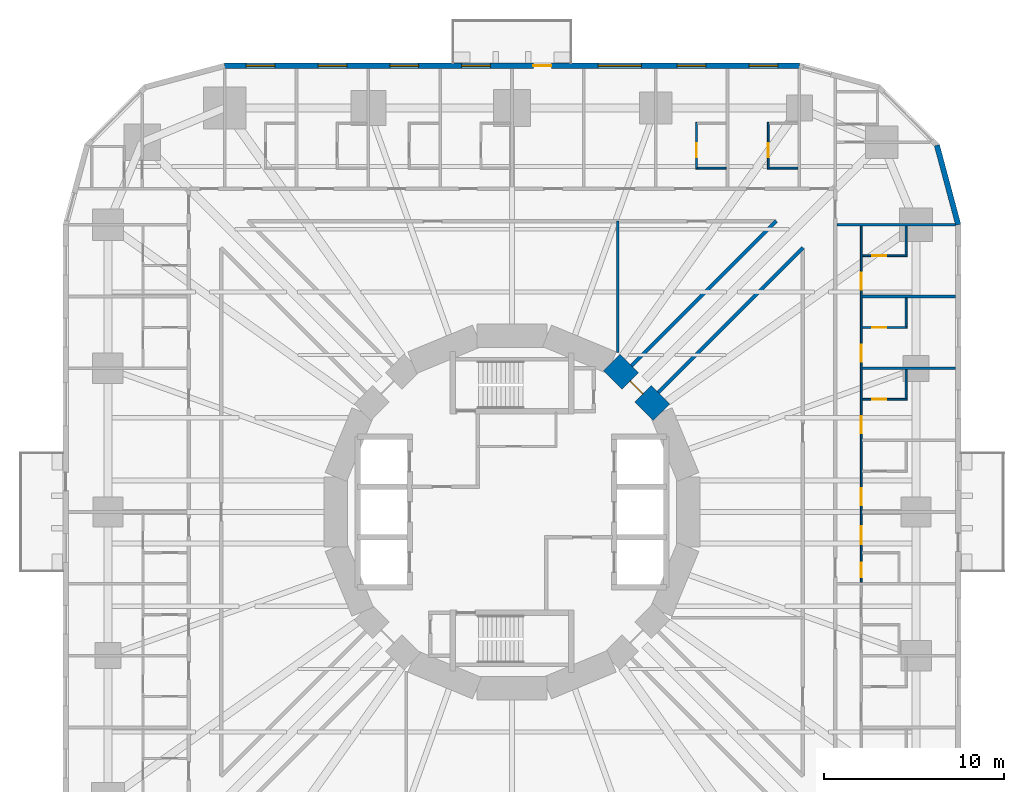
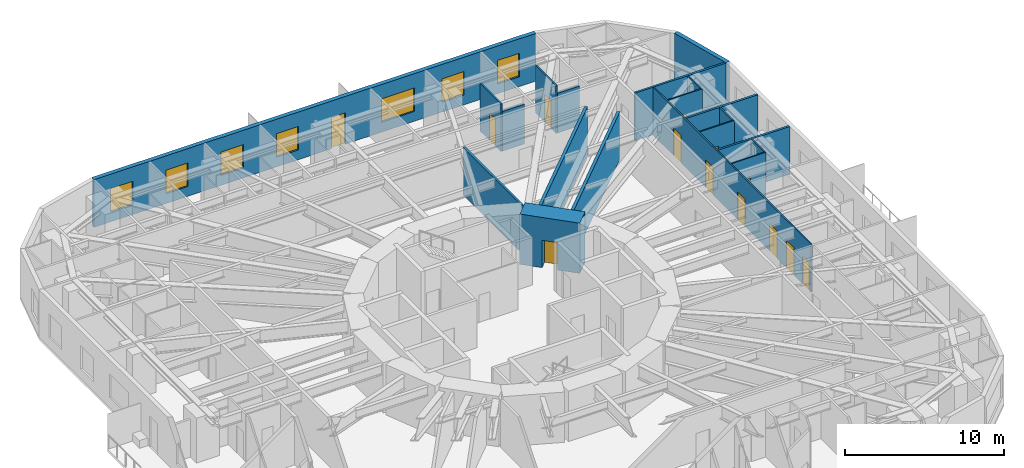
# One storey, part 11 of 14: 20 walls, 13 doors, 7 windows, 20 openings.
"""IFC4 building model written with IfcOpenShell, lengths in metres."""

from ifc_helpers import new_model, si_unit, direction, frame, frame_2d, origin, place, context, subcontext, project, spatial, rectangle, extrude, material, layer, layer_set, type_object, element, fill, save


model = new_model("IFC4")

# Units and contexts
model_context = context("Model", 3, precision=1e-05, world=origin(), true_north=direction((0.0, 1.0)))
body_context = subcontext(model_context, "Body", "Model", "MODEL_VIEW")
ifc_project = project(units=[si_unit("LENGTHUNIT", "METRE"), si_unit("AREAUNIT", "SQUARE_METRE"), si_unit("VOLUMEUNIT", "CUBIC_METRE"), si_unit("PLANEANGLEUNIT", "RADIAN"), si_unit("MASSUNIT", "GRAM", prefix="KILO")], contexts=[model_context])

# Site, building, storey
site_placement = place(None, origin())
site = spatial("IfcSite", under=ifc_project, at=site_placement, CompositionType="ELEMENT")
building_placement = place(site_placement, origin())
building = spatial("IfcBuilding", under=site, at=building_placement, Name="Nakasero Lantern House", CompositionType="ELEMENT")
storey_placement = place(building_placement, frame((0.0, 0.0, 50.64990234375)))
storey = spatial("IfcBuildingStorey", under=building, at=storey_placement, Name="L12", CompositionType="ELEMENT", Elevation=50.64990234375)

# Wall, openings, doors
ifc_material_1 = material(Name="Blockwork", Category="masonry")
ifc_layer_1 = layer(ifc_material_1, 0.10009765625)
ifc_layer_set_1 = layer_set([ifc_layer_1], Name="Cluster hall wall 100")
wall_type_1 = type_object("IfcWallType", Name="Cluster hall wall 100", PredefinedType="PARTITIONING", material=ifc_layer_set_1)
wall_1_placement = place(storey_placement, frame((19.449951171875, -3.925048828125, 0.0), z_axis=(0.0, 0.0, 1.0), x_axis=(0.0, 1.0, 0.0)))
wall_1 = element("IfcWall", 1, at=wall_1_placement, inside=storey, type_object=wall_type_1, Name="Cluster hall wall L12 HW0-1", PredefinedType="PARTITIONING", context=body_context, shape_type="SweptSolid", body=[
    extrude(rectangle(XDim=19.85009765625, YDim=0.10009765625, at=frame_2d((9.925048828125, 0.0))), origin(), (0.0, 0.0, 1.0), 3.650146484375),
])
opening_1_placement = place(wall_1_placement, frame((2.125, 0.0, 0.0)))
opening_1 = element("IfcOpeningElement", 2, at=opening_1_placement, cuts=wall_1, Name="Opening D03", PredefinedType="OPENING", context=body_context, shape_type="SweptSolid", body=[
    extrude(rectangle(XDim=1.0, YDim=2.10009765625, at=frame_2d((0.5, 1.050048828125))), frame((0.0, 0.070068359375, 0.0), z_axis=(0.0, -1.0, 0.0), x_axis=(1.0, 0.0, 0.0)), (0.0, 0.0, 1.0), 0.14013671875),
])
opening_2_placement = place(wall_1_placement, frame((0.300048828125, 0.0, 0.0)))
opening_2 = element("IfcOpeningElement", 3, at=opening_2_placement, cuts=wall_1, Name="Opening D02", PredefinedType="OPENING", context=body_context, shape_type="SweptSolid", body=[
    extrude(rectangle(XDim=0.800048828125, YDim=2.10009765625, at=frame_2d((0.39990234375, 1.050048828125))), frame((0.0, 0.070068359375, 0.0), z_axis=(0.0, -1.0, 0.0), x_axis=(1.0, 0.0, 0.0)), (0.0, 0.0, 1.0), 0.14013671875),
])
opening_3_placement = place(wall_1_placement, frame((4.300048828125, 0.0, 0.0)))
opening_3 = element("IfcOpeningElement", 4, at=opening_3_placement, cuts=wall_1, Name="Opening D01", PredefinedType="OPENING", context=body_context, shape_type="SweptSolid", body=[
    extrude(rectangle(XDim=0.949951171875, YDim=2.10009765625, at=frame_2d((0.47509765625, 1.050048828125))), frame((0.0, 0.070068359375, 0.0), z_axis=(0.0, -1.0, 0.0), x_axis=(1.0, 0.0, 0.0)), (0.0, 0.0, 1.0), 0.14013671875),
])
opening_4_placement = place(wall_1_placement, frame((8.300048828125, 0.0, 0.0)))
opening_4 = element("IfcOpeningElement", 5, at=opening_4_placement, cuts=wall_1, Name="Opening D01", PredefinedType="OPENING", context=body_context, shape_type="SweptSolid", body=[
    extrude(rectangle(XDim=0.949951171875, YDim=2.10009765625, at=frame_2d((0.47509765625, 1.050048828125))), frame((0.0, 0.070068359375, 0.0), z_axis=(0.0, -1.0, 0.0), x_axis=(1.0, 0.0, 0.0)), (0.0, 0.0, 1.0), 0.14013671875),
])
opening_5_placement = place(wall_1_placement, frame((12.300048828125, 0.0, 0.0)))
opening_5 = element("IfcOpeningElement", 6, at=opening_5_placement, cuts=wall_1, Name="Opening D01", PredefinedType="OPENING", context=body_context, shape_type="SweptSolid", body=[
    extrude(rectangle(XDim=0.949951171875, YDim=2.10009765625, at=frame_2d((0.47509765625, 1.050048828125))), frame((0.0, 0.070068359375, 0.0), z_axis=(0.0, -1.0, 0.0), x_axis=(1.0, 0.0, 0.0)), (0.0, 0.0, 1.0), 0.14013671875),
])
opening_6_placement = place(wall_1_placement, frame((16.300048828125, 0.0, 0.0)))
opening_6 = element("IfcOpeningElement", 7, at=opening_6_placement, cuts=wall_1, Name="Opening D01", PredefinedType="OPENING", context=body_context, shape_type="SweptSolid", body=[
    extrude(rectangle(XDim=0.949951171875, YDim=2.10009765625, at=frame_2d((0.47509765625, 1.050048828125))), frame((0.0, 0.070068359375, 0.0), z_axis=(0.0, -1.0, 0.0), x_axis=(1.0, 0.0, 0.0)), (0.0, 0.0, 1.0), 0.14013671875),
])
ifc_material_2 = material(Name="Timber C24", Category="wood")
door_type_1 = type_object("IfcDoorType", Name="Bedroom door FD30S 950", OperationType="SINGLE_SWING_LEFT", PredefinedType="DOOR", material=ifc_material_2)
door_1_placement = place(opening_3_placement, origin())
door_1 = element("IfcDoor", 8, at=door_1_placement, inside=storey, type_object=door_type_1, Name="Door L12 D0-05", OperationType="SINGLE_SWING_LEFT", OverallHeight=2.10009765625, OverallWidth=0.949951171875, PredefinedType="DOOR", context=body_context, shape_type="SweptSolid", body=[
    extrude(rectangle(XDim=0.949951171875, YDim=2.10009765625, at=frame_2d((0.47509765625, 1.050048828125))), frame((0.0, 0.02490234375, 0.0), z_axis=(0.0, -1.0, 0.0), x_axis=(1.0, 0.0, 0.0)), (0.0, 0.0, 1.0), 0.050048828125),
])
fill(opening_3, door_1)
door_2_placement = place(opening_4_placement, origin())
door_2 = element("IfcDoor", 9, at=door_2_placement, inside=storey, type_object=door_type_1, Name="Door L12 D0-06", OperationType="SINGLE_SWING_LEFT", OverallHeight=2.10009765625, OverallWidth=0.949951171875, PredefinedType="DOOR", context=body_context, shape_type="SweptSolid", body=[
    extrude(rectangle(XDim=0.949951171875, YDim=2.10009765625, at=frame_2d((0.47509765625, 1.050048828125))), frame((0.0, 0.02490234375, 0.0), z_axis=(0.0, -1.0, 0.0), x_axis=(1.0, 0.0, 0.0)), (0.0, 0.0, 1.0), 0.050048828125),
])
fill(opening_4, door_2)
door_3_placement = place(opening_5_placement, origin())
door_3 = element("IfcDoor", 10, at=door_3_placement, inside=storey, type_object=door_type_1, Name="Door L12 D0-07", OperationType="SINGLE_SWING_RIGHT", OverallHeight=2.10009765625, OverallWidth=0.949951171875, PredefinedType="DOOR", context=body_context, shape_type="SweptSolid", body=[
    extrude(rectangle(XDim=0.949951171875, YDim=2.10009765625, at=frame_2d((0.47509765625, 1.050048828125))), frame((0.0, 0.02490234375, 0.0), z_axis=(0.0, -1.0, 0.0), x_axis=(1.0, 0.0, 0.0)), (0.0, 0.0, 1.0), 0.050048828125),
])
fill(opening_5, door_3)
door_4_placement = place(opening_6_placement, origin())
door_4 = element("IfcDoor", 11, at=door_4_placement, inside=storey, type_object=door_type_1, Name="Door L12 D0-08", OperationType="SINGLE_SWING_RIGHT", OverallHeight=2.10009765625, OverallWidth=0.949951171875, PredefinedType="DOOR", context=body_context, shape_type="SweptSolid", body=[
    extrude(rectangle(XDim=0.949951171875, YDim=2.10009765625, at=frame_2d((0.47509765625, 1.050048828125))), frame((0.0, 0.02490234375, 0.0), z_axis=(0.0, -1.0, 0.0), x_axis=(1.0, 0.0, 0.0)), (0.0, 0.0, 1.0), 0.050048828125),
])
fill(opening_6, door_4)
ifc_material_3 = material(Name="Timber C24", Category="wood")
door_type_2 = type_object("IfcDoorType", Name="En-suite door 800", OperationType="SINGLE_SWING_RIGHT", PredefinedType="DOOR", material=ifc_material_3)
door_5_placement = place(opening_2_placement, origin())
door_5 = element("IfcDoor", 12, at=door_5_placement, inside=storey, type_object=door_type_2, Name="Door L12 DSH0-1", OperationType="SINGLE_SWING_LEFT", OverallHeight=2.10009765625, OverallWidth=0.800048828125, PredefinedType="DOOR", context=body_context, shape_type="SweptSolid", body=[
    extrude(rectangle(XDim=0.800048828125, YDim=2.10009765625, at=frame_2d((0.39990234375, 1.050048828125))), frame((0.0, 0.02490234375, 0.0), z_axis=(0.0, -1.0, 0.0), x_axis=(1.0, 0.0, 0.0)), (0.0, 0.0, 1.0), 0.050048828125),
])
fill(opening_2, door_5)
ifc_material_4 = material(Name="Timber C24", Category="wood")
door_type_3 = type_object("IfcDoorType", Name="Lounge door FD30S 1000", OperationType="SINGLE_SWING_LEFT", PredefinedType="DOOR", material=ifc_material_4)
door_6_placement = place(opening_1_placement, origin())
door_6 = element("IfcDoor", 13, at=door_6_placement, inside=storey, type_object=door_type_3, Name="Door L12 DH0-1", OperationType="SINGLE_SWING_LEFT", OverallHeight=2.10009765625, OverallWidth=1.0, PredefinedType="DOOR", context=body_context, shape_type="SweptSolid", body=[
    extrude(rectangle(XDim=1.0, YDim=2.10009765625, at=frame_2d((0.5, 1.050048828125))), frame((0.0, 0.02490234375, 0.0), z_axis=(0.0, -1.0, 0.0), x_axis=(1.0, 0.0, 0.0)), (0.0, 0.0, 1.0), 0.050048828125),
])
fill(opening_1, door_6)

# Wall, opening, door
ifc_material_5 = material(Name="Concrete C50/60", Category="concrete")
ifc_layer_2 = layer(ifc_material_5, 1.300048828125)
ifc_layer_set_2 = layer_set([ifc_layer_2], Name="Core wall 1300")
wall_type_2 = type_object("IfcWallType", Name="Core wall 1300", PredefinedType="SHEAR", material=ifc_layer_set_2)
wall_2_placement = place(storey_placement, frame((8.314697265625, 5.5556640625, 0.0), z_axis=(0.0, 0.0, 1.0), x_axis=(-0.707106781187, 0.707106781187, 0.0)))
wall_2 = element("IfcWall", 14, at=wall_2_placement, inside=storey, type_object=wall_type_2, Name="Core wall L12 facet 2", PredefinedType="SHEAR", context=body_context, shape_type="SweptSolid", body=[
    extrude(rectangle(XDim=3.90185546875, YDim=1.300048828125, at=frame_2d((1.950927734375, 0.0))), origin(), (0.0, 0.0, 1.0), 3.85009765625),
])
opening_7_placement = place(wall_2_placement, frame((1.450927734375, 0.0, 0.0)))
opening_7 = element("IfcOpeningElement", 15, at=opening_7_placement, cuts=wall_2, Name="Opening D05", PredefinedType="OPENING", context=body_context, shape_type="SweptSolid", body=[
    extrude(rectangle(XDim=1.0, YDim=2.10009765625, at=frame_2d((0.5, 1.050048828125))), frame((0.0, 0.669921875, 0.0), z_axis=(0.0, -1.0, 0.0), x_axis=(1.0, 0.0, 0.0)), (0.0, 0.0, 1.0), 1.340087890625),
])
ifc_material_6 = material(Name="Timber C24", Category="wood")
door_type_4 = type_object("IfcDoorType", Name="Core door FD60S 1000", OperationType="SINGLE_SWING_LEFT", PredefinedType="DOOR", material=ifc_material_6)
door_7_placement = place(opening_7_placement, origin())
door_7 = element("IfcDoor", 16, at=door_7_placement, inside=storey, type_object=door_type_4, Name="Door L12 D-CORE02", OperationType="SINGLE_SWING_LEFT", OverallHeight=2.10009765625, OverallWidth=1.0, PredefinedType="DOOR", context=body_context, shape_type="SweptSolid", body=[
    extrude(rectangle(XDim=1.0, YDim=2.10009765625, at=frame_2d((0.5, 1.050048828125))), frame((0.0, 0.02490234375, 0.0), z_axis=(0.0, -1.0, 0.0), x_axis=(1.0, 0.0, 0.0)), (0.0, 0.0, 1.0), 0.050048828125),
])
fill(opening_7, door_7)

# Walls
ifc_material_7 = material(Name="Blockwork", Category="masonry")
ifc_layer_3 = layer(ifc_material_7, 0.199951171875)
ifc_layer_set_3 = layer_set([ifc_layer_3], Name="Corridor wall 200")
wall_type_3 = type_object("IfcWallType", Name="Corridor wall 200", PredefinedType="PARTITIONING", material=ifc_layer_set_3)
for number, where, z_axis, x_axis, name in (
    (17, (6.65234375, 8.13720703125, 0.0), (0.0, 0.0, 1.0), (0.707106781187, 0.707106781187, 0.0), "Corridor wall L12 PS02a"),
    (18, (8.13720703125, 6.65234375, 0.0), (0.0, 0.0, 1.0), (0.707106781187, 0.707106781187, 0.0), "Corridor wall L12 PS02b"),
):
    element("IfcWall", number, at=place(storey_placement, frame(where, z_axis=z_axis, x_axis=x_axis)), inside=storey, type_object=wall_type_3, Name=name, PredefinedType="PARTITIONING", context=body_context, shape_type="SweptSolid", body=[
        extrude(rectangle(XDim=11.40234375, YDim=0.199951171875, at=frame_2d((5.701171875, 0.0))), origin(), (0.0, 0.0, 1.0), 3.650146484375),
    ])

# Wall, opening, door
ifc_material_8 = material(Name="Blockwork", Category="masonry")
ifc_layer_4 = layer(ifc_material_8, 0.10009765625)
ifc_layer_set_4 = layer_set([ifc_layer_4], Name="En-suite wall 100")
wall_type_4 = type_object("IfcWallType", Name="En-suite wall 100", PredefinedType="PARTITIONING", material=ifc_layer_set_4)
wall_3_placement = place(storey_placement, frame((19.5, 6.27490234375, 0.0), z_axis=(0.0, 0.0, 1.0), x_axis=(1.0, 0.0, 0.0)))
wall_3 = element("IfcWall", 19, at=wall_3_placement, inside=storey, type_object=wall_type_4, Name="En-suite wall L12 ES0-06", PredefinedType="PARTITIONING", context=body_context, shape_type="SweptSolid", body=[
    extrude(rectangle(XDim=2.5, YDim=0.10009765625, at=frame_2d((1.25, 0.0))), origin(), (0.0, 0.0, 1.0), 3.650146484375),
])
opening_8_placement = place(wall_3_placement, frame((0.550048828125, 0.0, 0.0)))
opening_8 = element("IfcOpeningElement", 20, at=opening_8_placement, cuts=wall_3, Name="Opening D02", PredefinedType="OPENING", context=body_context, shape_type="SweptSolid", body=[
    extrude(rectangle(XDim=0.800048828125, YDim=2.10009765625, at=frame_2d((0.39990234375, 1.050048828125))), frame((0.0, 0.070068359375, 0.0), z_axis=(0.0, -1.0, 0.0), x_axis=(1.0, 0.0, 0.0)), (0.0, 0.0, 1.0), 0.14013671875),
])
door_8_placement = place(opening_8_placement, origin())
door_8 = element("IfcDoor", 21, at=door_8_placement, inside=storey, type_object=door_type_2, Name="Door L12 DE0-06", OperationType="SINGLE_SWING_LEFT", OverallHeight=2.10009765625, OverallWidth=0.800048828125, PredefinedType="DOOR", context=body_context, shape_type="SweptSolid", body=[
    extrude(rectangle(XDim=0.800048828125, YDim=2.10009765625, at=frame_2d((0.39990234375, 1.050048828125))), frame((0.0, 0.02490234375, 0.0), z_axis=(0.0, -1.0, 0.0), x_axis=(1.0, 0.0, 0.0)), (0.0, 0.0, 1.0), 0.050048828125),
])
fill(opening_8, door_8)

# Wall
wall_4_placement = place(storey_placement, frame((21.949951171875, 6.324951171875, 0.0), z_axis=(0.0, 0.0, 1.0), x_axis=(0.0, 1.0, 0.0)))
element("IfcWall", 22, at=wall_4_placement, inside=storey, type_object=wall_type_4, Name="En-suite wall L12 EE0-06", PredefinedType="PARTITIONING", context=body_context, shape_type="SweptSolid", body=[
    extrude(rectangle(XDim=1.60009765625, YDim=0.10009765625, at=frame_2d((0.800048828125, 0.0))), origin(), (0.0, 0.0, 1.0), 3.650146484375),
])

# Wall, opening, door
wall_5_placement = place(storey_placement, frame((19.5, 10.27490234375, 0.0), z_axis=(0.0, 0.0, 1.0), x_axis=(1.0, 0.0, 0.0)))
wall_5 = element("IfcWall", 23, at=wall_5_placement, inside=storey, type_object=wall_type_4, Name="En-suite wall L12 ES0-07", PredefinedType="PARTITIONING", context=body_context, shape_type="SweptSolid", body=[
    extrude(rectangle(XDim=2.5, YDim=0.10009765625, at=frame_2d((1.25, 0.0))), origin(), (0.0, 0.0, 1.0), 3.650146484375),
])
opening_9_placement = place(wall_5_placement, frame((0.550048828125, 0.0, 0.0)))
opening_9 = element("IfcOpeningElement", 24, at=opening_9_placement, cuts=wall_5, Name="Opening D02", PredefinedType="OPENING", context=body_context, shape_type="SweptSolid", body=[
    extrude(rectangle(XDim=0.800048828125, YDim=2.10009765625, at=frame_2d((0.39990234375, 1.050048828125))), frame((0.0, 0.070068359375, 0.0), z_axis=(0.0, -1.0, 0.0), x_axis=(1.0, 0.0, 0.0)), (0.0, 0.0, 1.0), 0.14013671875),
])
door_9_placement = place(opening_9_placement, origin())
door_9 = element("IfcDoor", 25, at=door_9_placement, inside=storey, type_object=door_type_2, Name="Door L12 DE0-07", OperationType="SINGLE_SWING_LEFT", OverallHeight=2.10009765625, OverallWidth=0.800048828125, PredefinedType="DOOR", context=body_context, shape_type="SweptSolid", body=[
    extrude(rectangle(XDim=0.800048828125, YDim=2.10009765625, at=frame_2d((0.39990234375, 1.050048828125))), frame((0.0, 0.02490234375, 0.0), z_axis=(0.0, -1.0, 0.0), x_axis=(1.0, 0.0, 0.0)), (0.0, 0.0, 1.0), 0.050048828125),
])
fill(opening_9, door_9)

# Wall
wall_6_placement = place(storey_placement, frame((21.949951171875, 10.324951171875, 0.0), z_axis=(0.0, 0.0, 1.0), x_axis=(0.0, 1.0, 0.0)))
element("IfcWall", 26, at=wall_6_placement, inside=storey, type_object=wall_type_4, Name="En-suite wall L12 EE0-07", PredefinedType="PARTITIONING", context=body_context, shape_type="SweptSolid", body=[
    extrude(rectangle(XDim=1.60009765625, YDim=0.10009765625, at=frame_2d((0.800048828125, 0.0))), origin(), (0.0, 0.0, 1.0), 3.650146484375),
])

# Wall, opening, door
wall_7_placement = place(storey_placement, frame((19.5, 14.27490234375, 0.0), z_axis=(0.0, 0.0, 1.0), x_axis=(1.0, 0.0, 0.0)))
wall_7 = element("IfcWall", 27, at=wall_7_placement, inside=storey, type_object=wall_type_4, Name="En-suite wall L12 ES0-08", PredefinedType="PARTITIONING", context=body_context, shape_type="SweptSolid", body=[
    extrude(rectangle(XDim=2.5, YDim=0.10009765625, at=frame_2d((1.25, 0.0))), origin(), (0.0, 0.0, 1.0), 3.650146484375),
])
opening_10_placement = place(wall_7_placement, frame((0.550048828125, 0.0, 0.0)))
opening_10 = element("IfcOpeningElement", 28, at=opening_10_placement, cuts=wall_7, Name="Opening D02", PredefinedType="OPENING", context=body_context, shape_type="SweptSolid", body=[
    extrude(rectangle(XDim=0.800048828125, YDim=2.10009765625, at=frame_2d((0.39990234375, 1.050048828125))), frame((0.0, 0.070068359375, 0.0), z_axis=(0.0, -1.0, 0.0), x_axis=(1.0, 0.0, 0.0)), (0.0, 0.0, 1.0), 0.14013671875),
])
door_10_placement = place(opening_10_placement, origin())
door_10 = element("IfcDoor", 29, at=door_10_placement, inside=storey, type_object=door_type_2, Name="Door L12 DE0-08", OperationType="SINGLE_SWING_LEFT", OverallHeight=2.10009765625, OverallWidth=0.800048828125, PredefinedType="DOOR", context=body_context, shape_type="SweptSolid", body=[
    extrude(rectangle(XDim=0.800048828125, YDim=2.10009765625, at=frame_2d((0.39990234375, 1.050048828125))), frame((0.0, 0.02490234375, 0.0), z_axis=(0.0, -1.0, 0.0), x_axis=(1.0, 0.0, 0.0)), (0.0, 0.0, 1.0), 0.050048828125),
])
fill(opening_10, door_10)

# Wall
wall_8_placement = place(storey_placement, frame((21.949951171875, 14.324951171875, 0.0), z_axis=(0.0, 0.0, 1.0), x_axis=(0.0, 1.0, 0.0)))
element("IfcWall", 30, at=wall_8_placement, inside=storey, type_object=wall_type_4, Name="En-suite wall L12 EE0-08", PredefinedType="PARTITIONING", context=body_context, shape_type="SweptSolid", body=[
    extrude(rectangle(XDim=1.60009765625, YDim=0.10009765625, at=frame_2d((0.800048828125, 0.0))), origin(), (0.0, 0.0, 1.0), 3.650146484375),
])

# Wall, opening, door
wall_9_placement = place(storey_placement, frame((14.27490234375, 19.10009765625, 0.0), z_axis=(0.0, 0.0, 1.0), x_axis=(0.0, 1.0, 0.0)))
wall_9 = element("IfcWall", 31, at=wall_9_placement, inside=storey, type_object=wall_type_4, Name="En-suite wall L12 ES1-01", PredefinedType="PARTITIONING", context=body_context, shape_type="SweptSolid", body=[
    extrude(rectangle(XDim=2.599853515625, YDim=0.10009765625, at=frame_2d((1.2998046875, 0.0))), origin(), (0.0, 0.0, 1.0), 3.650146484375),
])
opening_11_placement = place(wall_9_placement, frame((0.64990234375, 0.0, 0.0)))
opening_11 = element("IfcOpeningElement", 32, at=opening_11_placement, cuts=wall_9, Name="Opening D02", PredefinedType="OPENING", context=body_context, shape_type="SweptSolid", body=[
    extrude(rectangle(XDim=0.800048828125, YDim=2.10009765625, at=frame_2d((0.39990234375, 1.050048828125))), frame((0.0, 0.070068359375, 0.0), z_axis=(0.0, -1.0, 0.0), x_axis=(1.0, 0.0, 0.0)), (0.0, 0.0, 1.0), 0.14013671875),
])
door_11_placement = place(opening_11_placement, origin())
door_11 = element("IfcDoor", 33, at=door_11_placement, inside=storey, type_object=door_type_2, Name="Door L12 DE1-01", OperationType="SINGLE_SWING_LEFT", OverallHeight=2.10009765625, OverallWidth=0.800048828125, PredefinedType="DOOR", context=body_context, shape_type="SweptSolid", body=[
    extrude(rectangle(XDim=0.800048828125, YDim=2.10009765625, at=frame_2d((0.39990234375, 1.050048828125))), frame((0.0, 0.02490234375, 0.0), z_axis=(0.0, -1.0, 0.0), x_axis=(1.0, 0.0, 0.0)), (0.0, 0.0, 1.0), 0.050048828125),
])
fill(opening_11, door_11)

# Wall
wall_10_placement = place(storey_placement, frame((15.925048828125, 19.14990234375, 0.0), z_axis=(0.0, 0.0, 1.0), x_axis=(-1.0, 0.0, 0.0)))
element("IfcWall", 34, at=wall_10_placement, inside=storey, type_object=wall_type_4, Name="En-suite wall L12 EI1-01", PredefinedType="PARTITIONING", context=body_context, shape_type="SweptSolid", body=[
    extrude(rectangle(XDim=1.60009765625, YDim=0.10009765625, at=frame_2d((0.800048828125, 0.0))), origin(), (0.0, 0.0, 1.0), 3.037841796875),
])

# Wall, opening, door
wall_11_placement = place(storey_placement, frame((10.27490234375, 19.10009765625, 0.0), z_axis=(0.0, 0.0, 1.0), x_axis=(0.0, 1.0, 0.0)))
wall_11 = element("IfcWall", 35, at=wall_11_placement, inside=storey, type_object=wall_type_4, Name="En-suite wall L12 ES1-02", PredefinedType="PARTITIONING", context=body_context, shape_type="SweptSolid", body=[
    extrude(rectangle(XDim=2.599853515625, YDim=0.10009765625, at=frame_2d((1.2998046875, 0.0))), origin(), (0.0, 0.0, 1.0), 3.650146484375),
])
opening_12_placement = place(wall_11_placement, frame((0.64990234375, 0.0, 0.0)))
opening_12 = element("IfcOpeningElement", 36, at=opening_12_placement, cuts=wall_11, Name="Opening D02", PredefinedType="OPENING", context=body_context, shape_type="SweptSolid", body=[
    extrude(rectangle(XDim=0.800048828125, YDim=2.10009765625, at=frame_2d((0.39990234375, 1.050048828125))), frame((0.0, 0.070068359375, 0.0), z_axis=(0.0, -1.0, 0.0), x_axis=(1.0, 0.0, 0.0)), (0.0, 0.0, 1.0), 0.14013671875),
])
door_12_placement = place(opening_12_placement, origin())
door_12 = element("IfcDoor", 37, at=door_12_placement, inside=storey, type_object=door_type_2, Name="Door L12 DE1-02", OperationType="SINGLE_SWING_LEFT", OverallHeight=2.10009765625, OverallWidth=0.800048828125, PredefinedType="DOOR", context=body_context, shape_type="SweptSolid", body=[
    extrude(rectangle(XDim=0.800048828125, YDim=2.10009765625, at=frame_2d((0.39990234375, 1.050048828125))), frame((0.0, 0.02490234375, 0.0), z_axis=(0.0, -1.0, 0.0), x_axis=(1.0, 0.0, 0.0)), (0.0, 0.0, 1.0), 0.050048828125),
])
fill(opening_12, door_12)

# Walls
wall_12_placement = place(storey_placement, frame((11.925048828125, 19.14990234375, 0.0), z_axis=(0.0, 0.0, 1.0), x_axis=(-1.0, 0.0, 0.0)))
element("IfcWall", 38, at=wall_12_placement, inside=storey, type_object=wall_type_4, Name="En-suite wall L12 EI1-02", PredefinedType="PARTITIONING", context=body_context, shape_type="SweptSolid", body=[
    extrude(rectangle(XDim=1.60009765625, YDim=0.10009765625, at=frame_2d((0.800048828125, 0.0))), origin(), (0.0, 0.0, 1.0), 3.037841796875),
])
ifc_material_9 = material(Name="Aluminium rainscreen on blockwork", Category="masonry")
ifc_layer_5 = layer(ifc_material_9, 0.300048828125)
ifc_layer_set_5 = layer_set([ifc_layer_5], Name="Facade wall 300")
wall_type_5 = type_object("IfcWallType", Name="Facade wall 300", PredefinedType="SOLIDWALL", material=ifc_layer_set_5)
wall_13_placement = place(storey_placement, frame((24.85009765625, 16.0, 0.0), z_axis=(0.0, 0.0, 1.0), x_axis=(-0.258839972501, 0.965920218567, 0.0)))
element("IfcWall", 39, at=wall_13_placement, inside=storey, type_object=wall_type_5, Name="Facade wall L12 FW0C1", PredefinedType="SOLIDWALL", context=body_context, shape_type="SweptSolid", body=[
    extrude(rectangle(XDim=4.5810546875, YDim=0.300048828125, at=frame_2d((2.29052734375, 0.0))), origin(), (0.0, 0.0, 1.0), 3.650146484375),
])

# Wall, openings, door, windows
wall_14_placement = place(storey_placement, frame((16.0, 24.85009765625, 0.0), z_axis=(0.0, 0.0, 1.0), x_axis=(-1.0, 0.0, 0.0)))
wall_14 = element("IfcWall", 40, at=wall_14_placement, inside=storey, type_object=wall_type_5, Name="Facade wall L12 FW1S", PredefinedType="SOLIDWALL", context=body_context, shape_type="SweptSolid", body=[
    extrude(rectangle(XDim=32.0, YDim=0.300048828125, at=frame_2d((16.0, 0.0))), origin(), (0.0, 0.0, 1.0), 3.650146484375),
])
opening_13_placement = place(wall_14_placement, frame((1.199951171875, 0.0, 0.75)))
opening_13 = element("IfcOpeningElement", 41, at=opening_13_placement, cuts=wall_14, Name="Opening W01", PredefinedType="OPENING", context=body_context, shape_type="SweptSolid", body=[
    extrude(rectangle(XDim=1.60009765625, YDim=1.800048828125, at=frame_2d((0.800048828125, 0.89990234375))), frame((0.0, 0.169921875, 0.0), z_axis=(0.0, -1.0, 0.0), x_axis=(1.0, 0.0, 0.0)), (0.0, 0.0, 1.0), 0.340087890625),
])
opening_14_placement = place(wall_14_placement, frame((5.199951171875, 0.0, 0.75)))
opening_14 = element("IfcOpeningElement", 42, at=opening_14_placement, cuts=wall_14, Name="Opening W01", PredefinedType="OPENING", context=body_context, shape_type="SweptSolid", body=[
    extrude(rectangle(XDim=1.60009765625, YDim=1.800048828125, at=frame_2d((0.800048828125, 0.89990234375))), frame((0.0, 0.169921875, 0.0), z_axis=(0.0, -1.0, 0.0), x_axis=(1.0, 0.0, 0.0)), (0.0, 0.0, 1.0), 0.340087890625),
])
opening_15_placement = place(wall_14_placement, frame((17.199951171875, 0.0, 0.75)))
opening_15 = element("IfcOpeningElement", 43, at=opening_15_placement, cuts=wall_14, Name="Opening W01", PredefinedType="OPENING", context=body_context, shape_type="SweptSolid", body=[
    extrude(rectangle(XDim=1.60009765625, YDim=1.800048828125, at=frame_2d((0.800048828125, 0.89990234375))), frame((0.0, 0.169921875, 0.0), z_axis=(0.0, -1.0, 0.0), x_axis=(1.0, 0.0, 0.0)), (0.0, 0.0, 1.0), 0.340087890625),
])
opening_16_placement = place(wall_14_placement, frame((21.199951171875, 0.0, 0.75)))
opening_16 = element("IfcOpeningElement", 44, at=opening_16_placement, cuts=wall_14, Name="Opening W01", PredefinedType="OPENING", context=body_context, shape_type="SweptSolid", body=[
    extrude(rectangle(XDim=1.60009765625, YDim=1.800048828125, at=frame_2d((0.800048828125, 0.89990234375))), frame((0.0, 0.169921875, 0.0), z_axis=(0.0, -1.0, 0.0), x_axis=(1.0, 0.0, 0.0)), (0.0, 0.0, 1.0), 0.340087890625),
])
opening_17_placement = place(wall_14_placement, frame((25.199951171875, 0.0, 0.75)))
opening_17 = element("IfcOpeningElement", 45, at=opening_17_placement, cuts=wall_14, Name="Opening W01", PredefinedType="OPENING", context=body_context, shape_type="SweptSolid", body=[
    extrude(rectangle(XDim=1.60009765625, YDim=1.800048828125, at=frame_2d((0.800048828125, 0.89990234375))), frame((0.0, 0.169921875, 0.0), z_axis=(0.0, -1.0, 0.0), x_axis=(1.0, 0.0, 0.0)), (0.0, 0.0, 1.0), 0.340087890625),
])
opening_18_placement = place(wall_14_placement, frame((29.199951171875, 0.0, 0.75)))
opening_18 = element("IfcOpeningElement", 46, at=opening_18_placement, cuts=wall_14, Name="Opening W01", PredefinedType="OPENING", context=body_context, shape_type="SweptSolid", body=[
    extrude(rectangle(XDim=1.60009765625, YDim=1.800048828125, at=frame_2d((0.800048828125, 0.89990234375))), frame((0.0, 0.169921875, 0.0), z_axis=(0.0, -1.0, 0.0), x_axis=(1.0, 0.0, 0.0)), (0.0, 0.0, 1.0), 0.340087890625),
])
opening_19_placement = place(wall_14_placement, frame((8.800048828125, 0.0, 0.75)))
opening_19 = element("IfcOpeningElement", 47, at=opening_19_placement, cuts=wall_14, Name="Opening W03", PredefinedType="OPENING", context=body_context, shape_type="SweptSolid", body=[
    extrude(rectangle(XDim=2.39990234375, YDim=1.800048828125, at=frame_2d((1.199951171875, 0.89990234375))), frame((0.0, 0.169921875, 0.0), z_axis=(0.0, -1.0, 0.0), x_axis=(1.0, 0.0, 0.0)), (0.0, 0.0, 1.0), 0.340087890625),
])
opening_20_placement = place(wall_14_placement, frame((13.8125, 0.0, 0.0)))
opening_20 = element("IfcOpeningElement", 48, at=opening_20_placement, cuts=wall_14, Name="Opening D04", PredefinedType="OPENING", context=body_context, shape_type="SweptSolid", body=[
    extrude(rectangle(XDim=1.0, YDim=2.39990234375, at=frame_2d((0.5, 1.199951171875))), frame((0.0, 0.169921875, 0.0), z_axis=(0.0, -1.0, 0.0), x_axis=(1.0, 0.0, 0.0)), (0.0, 0.0, 1.0), 0.340087890625),
])
ifc_material_10 = material(Name="Aluminium 6063-T6 and glass", Category="aluminium")
door_type_5 = type_object("IfcDoorType", Name="Balcony door 1000x2400", OperationType="SINGLE_SWING_RIGHT", PredefinedType="DOOR", material=ifc_material_10)
door_13_placement = place(opening_20_placement, origin())
door_13 = element("IfcDoor", 49, at=door_13_placement, inside=storey, type_object=door_type_5, Name="Balcony door L12 DB1", OperationType="SINGLE_SWING_RIGHT", OverallHeight=2.39990234375, OverallWidth=1.0, PredefinedType="DOOR", context=body_context, shape_type="SweptSolid", body=[
    extrude(rectangle(XDim=1.0, YDim=2.39990234375, at=frame_2d((0.5, 1.199951171875))), frame((0.0, 0.02490234375, 0.0), z_axis=(0.0, -1.0, 0.0), x_axis=(1.0, 0.0, 0.0)), (0.0, 0.0, 1.0), 0.050048828125),
])
fill(opening_20, door_13)
ifc_material_11 = material(Name="Aluminium 6063-T6 and glass", Category="aluminium")
window_type_1 = type_object("IfcWindowType", Name="Bedroom window 1600x1800", PartitioningType="SINGLE_PANEL", PredefinedType="WINDOW", material=ifc_material_11)
window_1_placement = place(opening_13_placement, origin())
window_1 = element("IfcWindow", 50, at=window_1_placement, inside=storey, type_object=window_type_1, Name="Window L12 WN1-01", OverallHeight=1.800048828125, OverallWidth=1.60009765625, PartitioningType="SINGLE_PANEL", PredefinedType="WINDOW", context=body_context, shape_type="SweptSolid", body=[
    extrude(rectangle(XDim=1.60009765625, YDim=1.800048828125, at=frame_2d((0.800048828125, 0.89990234375))), frame((0.0, 0.030029296875, 0.0), z_axis=(0.0, -1.0, 0.0), x_axis=(1.0, 0.0, 0.0)), (0.0, 0.0, 1.0), 0.06005859375),
])
fill(opening_13, window_1)
window_2_placement = place(opening_14_placement, origin())
window_2 = element("IfcWindow", 51, at=window_2_placement, inside=storey, type_object=window_type_1, Name="Window L12 WN1-02", OverallHeight=1.800048828125, OverallWidth=1.60009765625, PartitioningType="SINGLE_PANEL", PredefinedType="WINDOW", context=body_context, shape_type="SweptSolid", body=[
    extrude(rectangle(XDim=1.60009765625, YDim=1.800048828125, at=frame_2d((0.800048828125, 0.89990234375))), frame((0.0, 0.030029296875, 0.0), z_axis=(0.0, -1.0, 0.0), x_axis=(1.0, 0.0, 0.0)), (0.0, 0.0, 1.0), 0.06005859375),
])
fill(opening_14, window_2)
window_3_placement = place(opening_15_placement, origin())
window_3 = element("IfcWindow", 52, at=window_3_placement, inside=storey, type_object=window_type_1, Name="Window L12 WN1-05", OverallHeight=1.800048828125, OverallWidth=1.60009765625, PartitioningType="SINGLE_PANEL", PredefinedType="WINDOW", context=body_context, shape_type="SweptSolid", body=[
    extrude(rectangle(XDim=1.60009765625, YDim=1.800048828125, at=frame_2d((0.800048828125, 0.89990234375))), frame((0.0, 0.030029296875, 0.0), z_axis=(0.0, -1.0, 0.0), x_axis=(1.0, 0.0, 0.0)), (0.0, 0.0, 1.0), 0.06005859375),
])
fill(opening_15, window_3)
window_4_placement = place(opening_16_placement, origin())
window_4 = element("IfcWindow", 53, at=window_4_placement, inside=storey, type_object=window_type_1, Name="Window L12 WN1-06", OverallHeight=1.800048828125, OverallWidth=1.60009765625, PartitioningType="SINGLE_PANEL", PredefinedType="WINDOW", context=body_context, shape_type="SweptSolid", body=[
    extrude(rectangle(XDim=1.60009765625, YDim=1.800048828125, at=frame_2d((0.800048828125, 0.89990234375))), frame((0.0, 0.030029296875, 0.0), z_axis=(0.0, -1.0, 0.0), x_axis=(1.0, 0.0, 0.0)), (0.0, 0.0, 1.0), 0.06005859375),
])
fill(opening_16, window_4)
window_5_placement = place(opening_17_placement, origin())
window_5 = element("IfcWindow", 54, at=window_5_placement, inside=storey, type_object=window_type_1, Name="Window L12 WN1-07", OverallHeight=1.800048828125, OverallWidth=1.60009765625, PartitioningType="SINGLE_PANEL", PredefinedType="WINDOW", context=body_context, shape_type="SweptSolid", body=[
    extrude(rectangle(XDim=1.60009765625, YDim=1.800048828125, at=frame_2d((0.800048828125, 0.89990234375))), frame((0.0, 0.030029296875, 0.0), z_axis=(0.0, -1.0, 0.0), x_axis=(1.0, 0.0, 0.0)), (0.0, 0.0, 1.0), 0.06005859375),
])
fill(opening_17, window_5)
window_6_placement = place(opening_18_placement, origin())
window_6 = element("IfcWindow", 55, at=window_6_placement, inside=storey, type_object=window_type_1, Name="Window L12 WN1-08", OverallHeight=1.800048828125, OverallWidth=1.60009765625, PartitioningType="SINGLE_PANEL", PredefinedType="WINDOW", context=body_context, shape_type="SweptSolid", body=[
    extrude(rectangle(XDim=1.60009765625, YDim=1.800048828125, at=frame_2d((0.800048828125, 0.89990234375))), frame((0.0, 0.030029296875, 0.0), z_axis=(0.0, -1.0, 0.0), x_axis=(1.0, 0.0, 0.0)), (0.0, 0.0, 1.0), 0.06005859375),
])
fill(opening_18, window_6)
ifc_material_12 = material(Name="Aluminium 6063-T6 and glass", Category="aluminium")
window_type_2 = type_object("IfcWindowType", Name="Lounge window 2400x1800", PartitioningType="SINGLE_PANEL", PredefinedType="WINDOW", material=ifc_material_12)
window_7_placement = place(opening_19_placement, origin())
window_7 = element("IfcWindow", 56, at=window_7_placement, inside=storey, type_object=window_type_2, Name="Window L12 WK1", OverallHeight=1.800048828125, OverallWidth=2.39990234375, PartitioningType="SINGLE_PANEL", PredefinedType="WINDOW", context=body_context, shape_type="SweptSolid", body=[
    extrude(rectangle(XDim=2.39990234375, YDim=1.800048828125, at=frame_2d((1.199951171875, 0.89990234375))), frame((0.0, 0.030029296875, 0.0), z_axis=(0.0, -1.0, 0.0), x_axis=(1.0, 0.0, 0.0)), (0.0, 0.0, 1.0), 0.06005859375),
])
fill(opening_19, window_7)

# Walls
ifc_material_13 = material(Name="Blockwork", Category="masonry")
ifc_layer_6 = layer(ifc_material_13, 0.14990234375)
ifc_layer_set_6 = layer_set([ifc_layer_6], Name="Party wall 150")
wall_type_6 = type_object("IfcWallType", Name="Party wall 150", PredefinedType="PARTITIONING", material=ifc_layer_set_6)
for number, where, z_axis, x_axis, name in (
    (57, (19.5, 8.0, 0.0), (0.0, 0.0, 1.0), (1.0, 0.0, 0.0), "Party wall L12 PW0-07"),
    (58, (19.5, 12.0, 0.0), (0.0, 0.0, 1.0), (1.0, 0.0, 0.0), "Party wall L12 PW0-08"),
):
    element("IfcWall", number, at=place(storey_placement, frame(where, z_axis=z_axis, x_axis=x_axis)), inside=storey, type_object=wall_type_6, Name=name, PredefinedType="PARTITIONING", context=body_context, shape_type="SweptSolid", body=[
        extrude(rectangle(XDim=5.199951171875, YDim=0.14990234375, at=frame_2d((2.60009765625, 0.0))), origin(), (0.0, 0.0, 1.0), 3.650146484375),
    ])
wall_15_placement = place(storey_placement, frame((18.10009765625, 16.0, 0.0), z_axis=(0.0, 0.0, 1.0), x_axis=(1.0, 0.0, 0.0)))
element("IfcWall", 59, at=wall_15_placement, inside=storey, type_object=wall_type_6, Name="Party wall L12 PW0-09", PredefinedType="PARTITIONING", context=body_context, shape_type="SweptSolid", body=[
    extrude(rectangle(XDim=6.58935546875, YDim=0.14990234375, at=frame_2d((3.294677734375, 0.0))), origin(), (0.0, 0.0, 1.0), 3.650146484375),
])
wall_16_placement = place(storey_placement, frame((5.885986328125, 8.88134765625, 0.0), z_axis=(0.0, 0.0, 1.0), x_axis=(0.0, 1.0, 0.0)))
element("IfcWall", 60, at=wall_16_placement, inside=storey, type_object=wall_type_6, Name="Party wall L12 IS2", PredefinedType="PARTITIONING", context=body_context, shape_type="SweptSolid", body=[
    extrude(rectangle(XDim=7.318603515625, YDim=0.14990234375, at=frame_2d((3.6591796875, 0.0))), origin(), (0.0, 0.0, 1.0), 3.650146484375),
])

save(model, "model.ifc")
